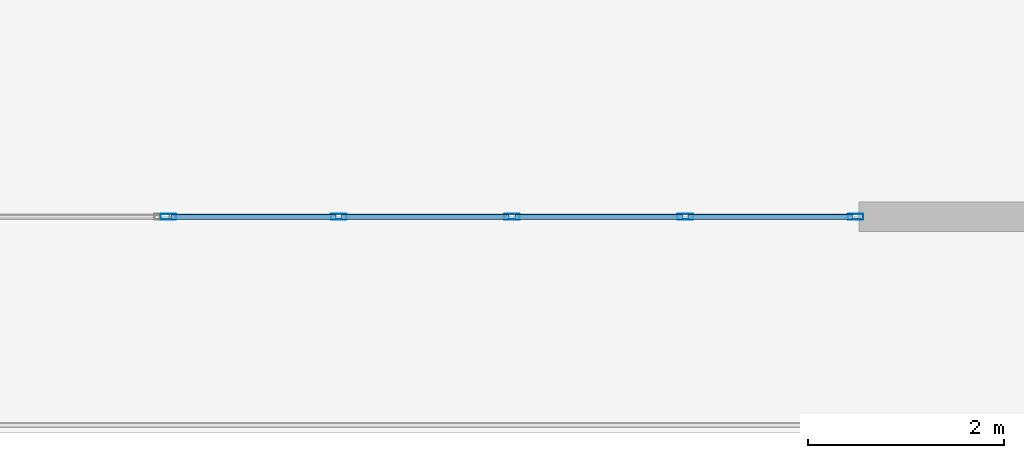
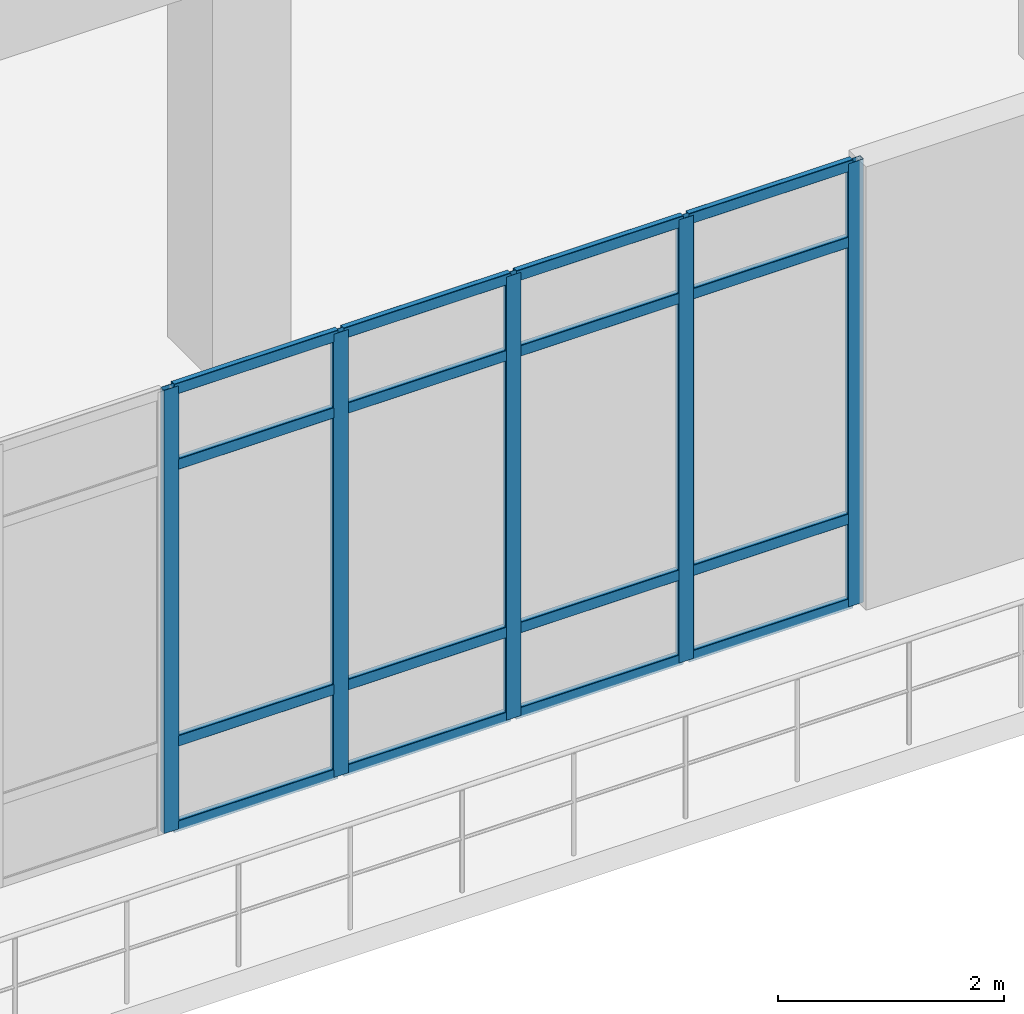
# One storey, part 13 of 124: 21 members, 1 element without a shape of its own.
"""IFC4 building model written with IfcOpenShell, lengths in metres."""

from ifc_helpers import new_model, si_unit, derived_unit, direction, frame, origin, origin_2d, place, context, subcontext, project, spatial, hollow_rectangle, extrude, material, layer, layer_set, material_profile, profile_set, type_object, element, aggregate, save


model = new_model("IFC4")

# Units and contexts
model_context = context("Model", 3, precision=1e-05, world=origin(), true_north=direction((0.0, 1.0)))
body_context = subcontext(model_context, "Body", "Model", "MODEL_VIEW")
ifc_project = project(units=[si_unit("LENGTHUNIT", "METRE"), si_unit("AREAUNIT", "SQUARE_METRE"), si_unit("VOLUMEUNIT", "CUBIC_METRE"), si_unit("PLANEANGLEUNIT", "RADIAN"), si_unit("MASSUNIT", "GRAM", prefix="KILO"), derived_unit("THERMALTRANSMITTANCEUNIT", [(si_unit("MASSUNIT", "GRAM", prefix="KILO"), 1), (si_unit("TIMEUNIT", "SECOND"), -3), (si_unit("THERMODYNAMICTEMPERATUREUNIT", "KELVIN"), -1)])], contexts=[model_context])

# Site, building, storey
site_placement = place(None, origin())
site = spatial("IfcSite", under=ifc_project, at=site_placement, CompositionType="ELEMENT")
building_placement = place(site_placement, origin())
building = spatial("IfcBuilding", under=site, at=building_placement, Name="Qinzheling Arcade Emporium", CompositionType="ELEMENT")
storey_placement = place(building_placement, frame((0.0, 0.0, 16.5)))
storey = spatial("IfcBuildingStorey", under=building, at=storey_placement, Name="L04", CompositionType="ELEMENT", Elevation=16.5)

# Curtain wall, members
ifc_material_1 = material(Name="Anodised aluminium and solar-control double glazing", Category="aluminium")
ifc_layer = layer(ifc_material_1, 0.159912109375, Name="Anodised aluminium and solar-control double glazing", Category="aluminium")
ifc_layer_set = layer_set([ifc_layer], Name="Anodised aluminium and solar-control double glazing")
curtain_wall_type = type_object("IfcCurtainWallType", Name="Arcade Portal Glazed Curtain Wall", PredefinedType="NOTDEFINED", material=ifc_layer_set)
curtain_wall_placement = place(storey_placement, origin())
curtain_wall = element("IfcCurtainWall", 1, at=curtain_wall_placement, inside=storey, type_object=curtain_wall_type, Name="Curtain Wall CW-L04-221", PredefinedType="NOTDEFINED")
ifc_material_2 = material(Name="Anodised aluminium 6063-T6", Category="aluminium")
ifc_material_profile_1 = material_profile(ifc_material_2, hollow_rectangle(XDim=0.06005859375, YDim=0.159912109375, WallThickness=0.00390625, InnerFilletRadius=0.00390625, OuterFilletRadius=0.008056640625, at=origin_2d()), Name="RHS 160x60x4", Category="aluminium")
ifc_profile_set_1 = profile_set([ifc_material_profile_1], Name="Anodised aluminium 6063-T6")
member_type_1 = type_object("IfcMemberType", Name="Curtain Wall Mullion RHS160x60", PredefinedType="MULLION", material=ifc_profile_set_1)
member_1_placement = place(storey_placement, frame((55.008056640625, 2.199951171875, 0.0), z_axis=(0.0, 0.0, 1.0), x_axis=(0.0, -1.0, 0.0)))
member_1 = element("IfcMember", 2, at=member_1_placement, type_object=member_type_1, Name="CW05 mullion 1", PredefinedType="MULLION", context=body_context, shape_type="SweptSolid", body=[
    extrude(hollow_rectangle(XDim=0.06005859375, YDim=0.159912109375, WallThickness=0.00390625, InnerFilletRadius=0.00390625, OuterFilletRadius=0.008056640625, at=origin_2d()), origin(), (0.0, 0.0, 1.0), 4.7900390625),
])
member_2_placement = place(storey_placement, frame((53.27392578125, 2.199951171875, 0.0), z_axis=(0.0, 0.0, 1.0), x_axis=(0.0, -1.0, 0.0)))
member_2 = element("IfcMember", 3, at=member_2_placement, type_object=member_type_1, Name="CW05 mullion 2", PredefinedType="MULLION", context=body_context, shape_type="SweptSolid", body=[
    extrude(hollow_rectangle(XDim=0.06005859375, YDim=0.159912109375, WallThickness=0.00390625, InnerFilletRadius=0.00390625, OuterFilletRadius=0.008056640625, at=origin_2d()), origin(), (0.0, 0.0, 1.0), 4.7900390625),
])
member_3_placement = place(storey_placement, frame((51.510009765625, 2.199951171875, 0.0), z_axis=(0.0, 0.0, 1.0), x_axis=(0.0, -1.0, 0.0)))
member_3 = element("IfcMember", 4, at=member_3_placement, type_object=member_type_1, Name="CW05 mullion 3", PredefinedType="MULLION", context=body_context, shape_type="SweptSolid", body=[
    extrude(hollow_rectangle(XDim=0.06005859375, YDim=0.159912109375, WallThickness=0.00390625, InnerFilletRadius=0.00390625, OuterFilletRadius=0.008056640625, at=origin_2d()), origin(), (0.0, 0.0, 1.0), 4.7900390625),
])
member_4_placement = place(storey_placement, frame((49.74609375, 2.199951171875, 0.0), z_axis=(0.0, 0.0, 1.0), x_axis=(0.0, -1.0, 0.0)))
member_4 = element("IfcMember", 5, at=member_4_placement, type_object=member_type_1, Name="CW05 mullion 4", PredefinedType="MULLION", context=body_context, shape_type="SweptSolid", body=[
    extrude(hollow_rectangle(XDim=0.06005859375, YDim=0.159912109375, WallThickness=0.00390625, InnerFilletRadius=0.00390625, OuterFilletRadius=0.008056640625, at=origin_2d()), origin(), (0.0, 0.0, 1.0), 4.7900390625),
])
member_5_placement = place(storey_placement, frame((48.011962890625, 2.199951171875, 0.0), z_axis=(0.0, 0.0, 1.0), x_axis=(0.0, -1.0, 0.0)))
member_5 = element("IfcMember", 6, at=member_5_placement, type_object=member_type_1, Name="CW05 mullion 5", PredefinedType="MULLION", context=body_context, shape_type="SweptSolid", body=[
    extrude(hollow_rectangle(XDim=0.06005859375, YDim=0.159912109375, WallThickness=0.00390625, InnerFilletRadius=0.00390625, OuterFilletRadius=0.008056640625, at=origin_2d()), origin(), (0.0, 0.0, 1.0), 4.7900390625),
])
ifc_material_profile_2 = material_profile(ifc_material_2, hollow_rectangle(XDim=0.06005859375, YDim=0.1201171875, WallThickness=0.00390625, InnerFilletRadius=0.00390625, OuterFilletRadius=0.008056640625, at=origin_2d()), Name="RHS 120x60x4", Category="aluminium")
ifc_profile_set_2 = profile_set([ifc_material_profile_2], Name="Anodised aluminium 6063-T6")
member_type_2 = type_object("IfcMemberType", Name="Curtain Wall Transom RHS120x60", PredefinedType="USERDEFINED", material=ifc_profile_set_2)
member_6_placement = place(storey_placement, frame((54.97802734375, 2.199951171875, 0.030029296875), z_axis=(-1.0, 0.0, 0.0), x_axis=(0.0, -1.0, 0.0)))
member_6 = element("IfcMember", 7, at=member_6_placement, type_object=member_type_2, Name="CW05 transom 1.1", ObjectType="TRANSOM", PredefinedType="USERDEFINED", context=body_context, shape_type="SweptSolid", body=[
    extrude(hollow_rectangle(XDim=0.06005859375, YDim=0.1201171875, WallThickness=0.00390625, InnerFilletRadius=0.00390625, OuterFilletRadius=0.008056640625, at=origin_2d()), origin(), (0.0, 0.0, 1.0), 1.674072265625),
])
member_7_placement = place(storey_placement, frame((54.97802734375, 2.199951171875, 0.949951171875), z_axis=(-1.0, 0.0, 0.0), x_axis=(0.0, -1.0, 0.0)))
member_7 = element("IfcMember", 8, at=member_7_placement, type_object=member_type_2, Name="CW05 transom 1.2", ObjectType="TRANSOM", PredefinedType="USERDEFINED", context=body_context, shape_type="SweptSolid", body=[
    extrude(hollow_rectangle(XDim=0.06005859375, YDim=0.1201171875, WallThickness=0.00390625, InnerFilletRadius=0.00390625, OuterFilletRadius=0.008056640625, at=origin_2d()), origin(), (0.0, 0.0, 1.0), 1.674072265625),
])
member_8_placement = place(storey_placement, frame((54.97802734375, 2.199951171875, 3.93994140625), z_axis=(-1.0, 0.0, 0.0), x_axis=(0.0, -1.0, 0.0)))
member_8 = element("IfcMember", 9, at=member_8_placement, type_object=member_type_2, Name="CW05 transom 1.3", ObjectType="TRANSOM", PredefinedType="USERDEFINED", context=body_context, shape_type="SweptSolid", body=[
    extrude(hollow_rectangle(XDim=0.06005859375, YDim=0.1201171875, WallThickness=0.00390625, InnerFilletRadius=0.00390625, OuterFilletRadius=0.008056640625, at=origin_2d()), origin(), (0.0, 0.0, 1.0), 1.674072265625),
])
member_9_placement = place(storey_placement, frame((54.97802734375, 2.199951171875, 4.760009765625), z_axis=(-1.0, 0.0, 0.0), x_axis=(0.0, -1.0, 0.0)))
member_9 = element("IfcMember", 10, at=member_9_placement, type_object=member_type_2, Name="CW05 transom 1.4", ObjectType="TRANSOM", PredefinedType="USERDEFINED", context=body_context, shape_type="SweptSolid", body=[
    extrude(hollow_rectangle(XDim=0.06005859375, YDim=0.1201171875, WallThickness=0.00390625, InnerFilletRadius=0.00390625, OuterFilletRadius=0.008056640625, at=origin_2d()), origin(), (0.0, 0.0, 1.0), 1.674072265625),
])
member_10_placement = place(storey_placement, frame((53.243896484375, 2.199951171875, 0.030029296875), z_axis=(-1.0, 0.0, 0.0), x_axis=(0.0, -1.0, 0.0)))
member_10 = element("IfcMember", 11, at=member_10_placement, type_object=member_type_2, Name="CW05 transom 2.1", ObjectType="TRANSOM", PredefinedType="USERDEFINED", context=body_context, shape_type="SweptSolid", body=[
    extrude(hollow_rectangle(XDim=0.06005859375, YDim=0.1201171875, WallThickness=0.00390625, InnerFilletRadius=0.00390625, OuterFilletRadius=0.008056640625, at=origin_2d()), origin(), (0.0, 0.0, 1.0), 1.703857421875),
])
member_11_placement = place(storey_placement, frame((53.243896484375, 2.199951171875, 0.949951171875), z_axis=(-1.0, 0.0, 0.0), x_axis=(0.0, -1.0, 0.0)))
member_11 = element("IfcMember", 12, at=member_11_placement, type_object=member_type_2, Name="CW05 transom 2.2", ObjectType="TRANSOM", PredefinedType="USERDEFINED", context=body_context, shape_type="SweptSolid", body=[
    extrude(hollow_rectangle(XDim=0.06005859375, YDim=0.1201171875, WallThickness=0.00390625, InnerFilletRadius=0.00390625, OuterFilletRadius=0.008056640625, at=origin_2d()), origin(), (0.0, 0.0, 1.0), 1.703857421875),
])
member_12_placement = place(storey_placement, frame((53.243896484375, 2.199951171875, 3.93994140625), z_axis=(-1.0, 0.0, 0.0), x_axis=(0.0, -1.0, 0.0)))
member_12 = element("IfcMember", 13, at=member_12_placement, type_object=member_type_2, Name="CW05 transom 2.3", ObjectType="TRANSOM", PredefinedType="USERDEFINED", context=body_context, shape_type="SweptSolid", body=[
    extrude(hollow_rectangle(XDim=0.06005859375, YDim=0.1201171875, WallThickness=0.00390625, InnerFilletRadius=0.00390625, OuterFilletRadius=0.008056640625, at=origin_2d()), origin(), (0.0, 0.0, 1.0), 1.703857421875),
])
member_13_placement = place(storey_placement, frame((53.243896484375, 2.199951171875, 4.760009765625), z_axis=(-1.0, 0.0, 0.0), x_axis=(0.0, -1.0, 0.0)))
member_13 = element("IfcMember", 14, at=member_13_placement, type_object=member_type_2, Name="CW05 transom 2.4", ObjectType="TRANSOM", PredefinedType="USERDEFINED", context=body_context, shape_type="SweptSolid", body=[
    extrude(hollow_rectangle(XDim=0.06005859375, YDim=0.1201171875, WallThickness=0.00390625, InnerFilletRadius=0.00390625, OuterFilletRadius=0.008056640625, at=origin_2d()), origin(), (0.0, 0.0, 1.0), 1.703857421875),
])
member_14_placement = place(storey_placement, frame((51.47998046875, 2.199951171875, 0.030029296875), z_axis=(-1.0, 0.0, 0.0), x_axis=(0.0, -1.0, 0.0)))
member_14 = element("IfcMember", 15, at=member_14_placement, type_object=member_type_2, Name="CW05 transom 3.1", ObjectType="TRANSOM", PredefinedType="USERDEFINED", context=body_context, shape_type="SweptSolid", body=[
    extrude(hollow_rectangle(XDim=0.06005859375, YDim=0.1201171875, WallThickness=0.00390625, InnerFilletRadius=0.00390625, OuterFilletRadius=0.008056640625, at=origin_2d()), origin(), (0.0, 0.0, 1.0), 1.7041015625),
])
member_15_placement = place(storey_placement, frame((51.47998046875, 2.199951171875, 0.949951171875), z_axis=(-1.0, 0.0, 0.0), x_axis=(0.0, -1.0, 0.0)))
member_15 = element("IfcMember", 16, at=member_15_placement, type_object=member_type_2, Name="CW05 transom 3.2", ObjectType="TRANSOM", PredefinedType="USERDEFINED", context=body_context, shape_type="SweptSolid", body=[
    extrude(hollow_rectangle(XDim=0.06005859375, YDim=0.1201171875, WallThickness=0.00390625, InnerFilletRadius=0.00390625, OuterFilletRadius=0.008056640625, at=origin_2d()), origin(), (0.0, 0.0, 1.0), 1.7041015625),
])
member_16_placement = place(storey_placement, frame((51.47998046875, 2.199951171875, 3.93994140625), z_axis=(-1.0, 0.0, 0.0), x_axis=(0.0, -1.0, 0.0)))
member_16 = element("IfcMember", 17, at=member_16_placement, type_object=member_type_2, Name="CW05 transom 3.3", ObjectType="TRANSOM", PredefinedType="USERDEFINED", context=body_context, shape_type="SweptSolid", body=[
    extrude(hollow_rectangle(XDim=0.06005859375, YDim=0.1201171875, WallThickness=0.00390625, InnerFilletRadius=0.00390625, OuterFilletRadius=0.008056640625, at=origin_2d()), origin(), (0.0, 0.0, 1.0), 1.7041015625),
])
member_17_placement = place(storey_placement, frame((51.47998046875, 2.199951171875, 4.760009765625), z_axis=(-1.0, 0.0, 0.0), x_axis=(0.0, -1.0, 0.0)))
member_17 = element("IfcMember", 18, at=member_17_placement, type_object=member_type_2, Name="CW05 transom 3.4", ObjectType="TRANSOM", PredefinedType="USERDEFINED", context=body_context, shape_type="SweptSolid", body=[
    extrude(hollow_rectangle(XDim=0.06005859375, YDim=0.1201171875, WallThickness=0.00390625, InnerFilletRadius=0.00390625, OuterFilletRadius=0.008056640625, at=origin_2d()), origin(), (0.0, 0.0, 1.0), 1.7041015625),
])
member_18_placement = place(storey_placement, frame((49.716064453125, 2.199951171875, 0.030029296875), z_axis=(-1.0, 0.0, 0.0), x_axis=(0.0, -1.0, 0.0)))
member_18 = element("IfcMember", 19, at=member_18_placement, type_object=member_type_2, Name="CW05 transom 4.1", ObjectType="TRANSOM", PredefinedType="USERDEFINED", context=body_context, shape_type="SweptSolid", body=[
    extrude(hollow_rectangle(XDim=0.06005859375, YDim=0.1201171875, WallThickness=0.00390625, InnerFilletRadius=0.00390625, OuterFilletRadius=0.008056640625, at=origin_2d()), origin(), (0.0, 0.0, 1.0), 1.674072265625),
])
member_19_placement = place(storey_placement, frame((49.716064453125, 2.199951171875, 0.949951171875), z_axis=(-1.0, 0.0, 0.0), x_axis=(0.0, -1.0, 0.0)))
member_19 = element("IfcMember", 20, at=member_19_placement, type_object=member_type_2, Name="CW05 transom 4.2", ObjectType="TRANSOM", PredefinedType="USERDEFINED", context=body_context, shape_type="SweptSolid", body=[
    extrude(hollow_rectangle(XDim=0.06005859375, YDim=0.1201171875, WallThickness=0.00390625, InnerFilletRadius=0.00390625, OuterFilletRadius=0.008056640625, at=origin_2d()), origin(), (0.0, 0.0, 1.0), 1.674072265625),
])
member_20_placement = place(storey_placement, frame((49.716064453125, 2.199951171875, 3.93994140625), z_axis=(-1.0, 0.0, 0.0), x_axis=(0.0, -1.0, 0.0)))
member_20 = element("IfcMember", 21, at=member_20_placement, type_object=member_type_2, Name="CW05 transom 4.3", ObjectType="TRANSOM", PredefinedType="USERDEFINED", context=body_context, shape_type="SweptSolid", body=[
    extrude(hollow_rectangle(XDim=0.06005859375, YDim=0.1201171875, WallThickness=0.00390625, InnerFilletRadius=0.00390625, OuterFilletRadius=0.008056640625, at=origin_2d()), origin(), (0.0, 0.0, 1.0), 1.674072265625),
])
member_21_placement = place(storey_placement, frame((49.716064453125, 2.199951171875, 4.760009765625), z_axis=(-1.0, 0.0, 0.0), x_axis=(0.0, -1.0, 0.0)))
member_21 = element("IfcMember", 22, at=member_21_placement, type_object=member_type_2, Name="CW05 transom 4.4", ObjectType="TRANSOM", PredefinedType="USERDEFINED", context=body_context, shape_type="SweptSolid", body=[
    extrude(hollow_rectangle(XDim=0.06005859375, YDim=0.1201171875, WallThickness=0.00390625, InnerFilletRadius=0.00390625, OuterFilletRadius=0.008056640625, at=origin_2d()), origin(), (0.0, 0.0, 1.0), 1.674072265625),
])
aggregate(curtain_wall, [member_1, member_2, member_3, member_4, member_5, member_6, member_7, member_8, member_9, member_10, member_11, member_12, member_13, member_14, member_15, member_16, member_17, member_18, member_19, member_20, member_21])

save(model, "model.ifc")
